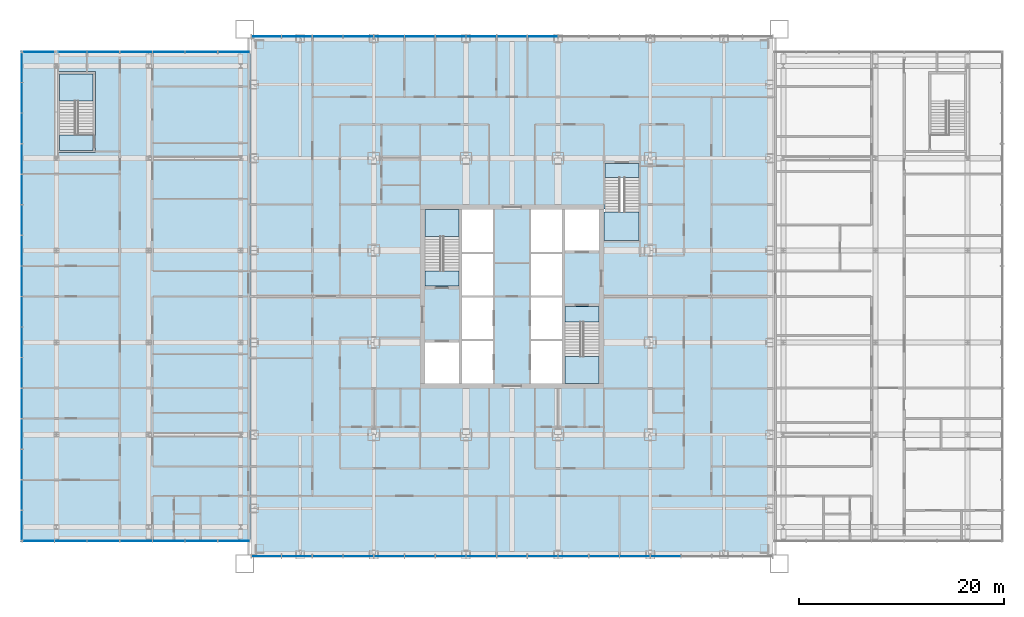
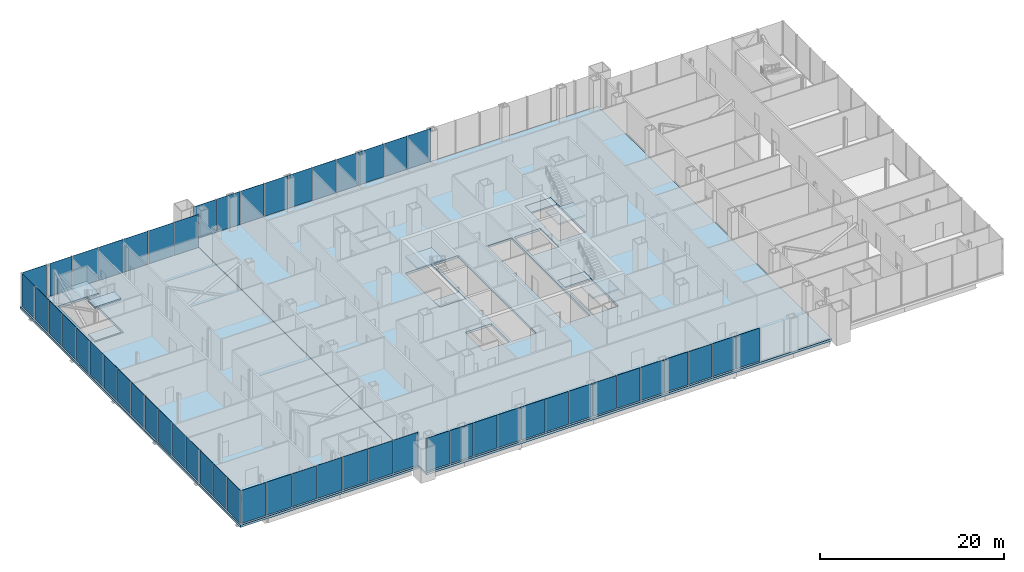
# One storey, part 13 of 25: 54 plates, 11 slabs, 9 elements without a shape of their own.
"""IFC4 building model written with IfcOpenShell, lengths in metres."""

from ifc_helpers import new_model, si_unit, direction, frame, origin, origin_2d, place, context, subcontext, project, spatial, polyline, rectangle, outline, extrude, material, layer, layer_set, type_object, element, aggregate, save


model = new_model("IFC4")

# Units and contexts
model_context = context("Model", 3, precision=1e-05, world=origin(), true_north=direction((0.0, 1.0)))
body_context = subcontext(model_context, "Body", "Model", "MODEL_VIEW")
ifc_project = project(units=[si_unit("LENGTHUNIT", "METRE"), si_unit("AREAUNIT", "SQUARE_METRE"), si_unit("VOLUMEUNIT", "CUBIC_METRE"), si_unit("PLANEANGLEUNIT", "RADIAN"), si_unit("MASSUNIT", "GRAM", prefix="KILO")], contexts=[model_context])

# Site, building, storey
site_placement = place(None, origin())
site = spatial("IfcSite", under=ifc_project, at=site_placement, CompositionType="ELEMENT")
building_placement = place(site_placement, origin())
building = spatial("IfcBuilding", under=site, at=building_placement, Name="Malebo Sky Hospital", CompositionType="ELEMENT")
storey_placement = place(building_placement, frame((0.0, 0.0, 16.5)))
storey = spatial("IfcBuildingStorey", under=building, at=storey_placement, Name="L03", CompositionType="ELEMENT", Elevation=16.5)

# Slabs
ifc_material_1 = material(Name="Concrete C40/50", Category="concrete")
ifc_layer_1 = layer(ifc_material_1, 0.300048828125)
ifc_layer_set_1 = layer_set([ifc_layer_1], Name="COMPOSITE FLOOR SLAB 300")
slab_type_1 = type_object("IfcSlabType", Name="COMPOSITE FLOOR SLAB 300", PredefinedType="FLOOR", material=ifc_layer_set_1)
slab_1_placement = place(storey_placement, frame((0.0, 0.0, -0.300048828125)))
element("IfcSlab", 1, at=slab_1_placement, inside=storey, type_object=slab_type_1, Name="Floor slab L03", PredefinedType="FLOOR", context=body_context, shape_type="SweptSolid", body=[
    extrude(outline(polyline([(34.5, 87.5), (34.5, 36.5), (85.5, 36.5), (85.5, 87.5), (34.5, 87.5)]), holes=[polyline([(55.10009765625, 70.5), (58.14990234375, 70.5), (58.14990234375, 53.5), (55.10009765625, 53.5), (55.10009765625, 70.5)]), polyline([(64.89990234375, 70.5), (64.89990234375, 53.5), (61.85009765625, 53.5), (61.85009765625, 70.5), (64.89990234375, 70.5)]), polyline([(54.800048828125, 63.0), (51.5, 63.0), (51.5, 70.5), (54.800048828125, 70.5), (54.800048828125, 63.0)]), polyline([(51.5, 53.5), (51.5, 57.5), (54.800048828125, 57.5), (54.800048828125, 53.5), (51.5, 53.5)]), polyline([(65.199951171875, 61.0), (68.5, 61.0), (68.5, 53.5), (65.199951171875, 53.5), (65.199951171875, 61.0)]), polyline([(68.5, 70.5), (68.5, 66.5), (65.199951171875, 66.5), (65.199951171875, 70.5), (68.5, 70.5)]), polyline([(69.0, 67.449951171875), (69.0, 70.52001953125), (69.10009765625, 70.52001953125), (69.10009765625, 75.0), (72.39990234375, 75.0), (72.39990234375, 67.449951171875), (69.10009765625, 67.449951171875), (69.0, 67.449951171875)])]), origin(), (0.0, 0.0, 1.0), 0.300048828125),
])
slab_2_placement = place(storey_placement, frame((0.0, 0.0, -0.300048828125)))
element("IfcSlab", 2, at=slab_2_placement, inside=storey, type_object=slab_type_1, Name="Floor slab L03 west wing", PredefinedType="FLOOR", context=body_context, shape_type="SweptSolid", body=[
    extrude(outline(polyline([(34.449951171875, 38.0), (34.449951171875, 86.0), (12.0, 86.0), (12.0, 38.0), (34.449951171875, 38.0)]), holes=[polyline([(19.300048828125, 76.050048828125), (15.60009765625, 76.050048828125), (15.60009765625, 83.949951171875), (19.300048828125, 83.949951171875), (19.300048828125, 76.050048828125)])]), origin(), (0.0, 0.0, 1.0), 0.300048828125),
])

# Stair, slabs
stair_type_1 = type_object("IfcStairType", Name="HALF-TURN STAIR 1500 R173", PredefinedType="HALF_TURN_STAIR", material=ifc_material_1)
stair_1_placement = place(storey_placement, origin())
stair_1 = element("IfcStair", 3, at=stair_1_placement, inside=storey, type_object=stair_type_1, Name="Stair S1 L03 type ST3", PredefinedType="HALF_TURN_STAIR")
ifc_layer_2 = layer(ifc_material_1, 0.199951171875)
ifc_layer_set_2 = layer_set([ifc_layer_2], Name="STAIR LANDING 200")
slab_type_2 = type_object("IfcSlabType", Name="STAIR LANDING 200", PredefinedType="LANDING", material=ifc_layer_set_2)
slab_3_placement = place(storey_placement, frame((0.0, 0.0, -0.199951171875)))
slab_3 = element("IfcSlab", 4, at=slab_3_placement, type_object=slab_type_2, Name="S1 landing 1", PredefinedType="LANDING", context=body_context, shape_type="SweptSolid", body=[
    extrude(outline(polyline([(51.5, 63.0), (54.800048828125, 63.0), (54.800048828125, 64.5), (51.5, 64.5), (51.5, 63.0)])), origin(), (0.0, 0.0, 1.0), 0.199951171875),
])
slab_4_placement = place(storey_placement, frame((0.0, 0.0, 2.050048828125)))
slab_4 = element("IfcSlab", 5, at=slab_4_placement, type_object=slab_type_2, Name="S1 landing 2", PredefinedType="LANDING", context=body_context, shape_type="SweptSolid", body=[
    extrude(outline(polyline([(51.5, 67.860107421875), (54.800048828125, 67.860107421875), (54.800048828125, 70.5), (51.5, 70.5), (51.5, 67.860107421875)])), origin(), (0.0, 0.0, 1.0), 0.199951171875),
])
aggregate(stair_1, [slab_3, slab_4])

stair_2_placement = place(storey_placement, origin())
stair_2 = element("IfcStair", 6, at=stair_2_placement, inside=storey, type_object=stair_type_1, Name="Stair S2 L03 type ST3", PredefinedType="HALF_TURN_STAIR")
slab_5_placement = place(storey_placement, frame((0.0, 0.0, -0.199951171875)))
slab_5 = element("IfcSlab", 7, at=slab_5_placement, type_object=slab_type_2, Name="S2 landing 1", PredefinedType="LANDING", context=body_context, shape_type="SweptSolid", body=[
    extrude(outline(polyline([(65.199951171875, 59.5), (68.5, 59.5), (68.5, 61.0), (65.199951171875, 61.0), (65.199951171875, 59.5)])), origin(), (0.0, 0.0, 1.0), 0.199951171875),
])
slab_6_placement = place(storey_placement, frame((0.0, 0.0, 2.050048828125)))
slab_6 = element("IfcSlab", 8, at=slab_6_placement, type_object=slab_type_2, Name="S2 landing 2", PredefinedType="LANDING", context=body_context, shape_type="SweptSolid", body=[
    extrude(outline(polyline([(65.199951171875, 53.5), (68.5, 53.5), (68.5, 56.139892578125), (65.199951171875, 56.139892578125), (65.199951171875, 53.5)])), origin(), (0.0, 0.0, 1.0), 0.199951171875),
])
aggregate(stair_2, [slab_5, slab_6])

stair_type_2 = type_object("IfcStairType", Name="HALF-TURN STAIR 1400 R173", PredefinedType="HALF_TURN_STAIR", material=ifc_material_1)
stair_3_placement = place(storey_placement, origin())
stair_3 = element("IfcStair", 9, at=stair_3_placement, inside=storey, type_object=stair_type_2, Name="Stair S3 L03 type ST3B", PredefinedType="HALF_TURN_STAIR")
slab_7_placement = place(storey_placement, frame((0.0, 0.0, -0.199951171875)))
slab_7 = element("IfcSlab", 10, at=slab_7_placement, type_object=slab_type_2, Name="S3 landing 1", PredefinedType="LANDING", context=body_context, shape_type="SweptSolid", body=[
    extrude(outline(polyline([(69.10009765625, 73.60009765625), (72.39990234375, 73.60009765625), (72.39990234375, 75.0), (69.10009765625, 75.0), (69.10009765625, 73.60009765625)])), origin(), (0.0, 0.0, 1.0), 0.199951171875),
])
slab_8_placement = place(storey_placement, frame((0.0, 0.0, 2.050048828125)))
slab_8 = element("IfcSlab", 11, at=slab_8_placement, type_object=slab_type_2, Name="S3 landing 2", PredefinedType="LANDING", context=body_context, shape_type="SweptSolid", body=[
    extrude(outline(polyline([(69.0, 67.449951171875), (72.39990234375, 67.449951171875), (72.39990234375, 70.239990234375), (69.0, 70.239990234375), (69.0, 67.449951171875)])), origin(), (0.0, 0.0, 1.0), 0.199951171875),
])
aggregate(stair_3, [slab_7, slab_8])

stair_4_placement = place(storey_placement, origin())
stair_4 = element("IfcStair", 12, at=stair_4_placement, inside=storey, type_object=stair_type_1, Name="Stair WS L03 type ST3", PredefinedType="HALF_TURN_STAIR")
slab_9_placement = place(storey_placement, frame((0.0, 0.0, -0.199951171875)))
slab_9 = element("IfcSlab", 13, at=slab_9_placement, type_object=slab_type_2, Name="WS landing 1", PredefinedType="LANDING", context=body_context, shape_type="SweptSolid", body=[
    extrude(outline(polyline([(15.800048828125, 76.25), (19.10009765625, 76.25), (19.10009765625, 77.75), (15.800048828125, 77.75), (15.800048828125, 76.25)])), origin(), (0.0, 0.0, 1.0), 0.199951171875),
])
slab_10_placement = place(storey_placement, frame((0.0, 0.0, 2.050048828125)))
slab_10 = element("IfcSlab", 14, at=slab_10_placement, type_object=slab_type_2, Name="WS landing 2", PredefinedType="LANDING", context=body_context, shape_type="SweptSolid", body=[
    extrude(outline(polyline([(15.800048828125, 81.110107421875), (19.10009765625, 81.110107421875), (19.10009765625, 83.75), (15.800048828125, 83.75), (15.800048828125, 81.110107421875)])), origin(), (0.0, 0.0, 1.0), 0.199951171875),
])
slab_11_placement = place(storey_placement, frame((0.0, 0.0, 4.300048828125)))
slab_11 = element("IfcSlab", 15, at=slab_11_placement, type_object=slab_type_2, Name="WS landing 3", PredefinedType="LANDING", context=body_context, shape_type="SweptSolid", body=[
    extrude(outline(polyline([(15.800048828125, 76.25), (19.10009765625, 76.25), (19.10009765625, 77.75), (15.800048828125, 77.75), (15.800048828125, 76.25)])), origin(), (0.0, 0.0, 1.0), 0.199951171875),
])
aggregate(stair_4, [slab_9, slab_10, slab_11])

# Curtain wall, plates
ifc_material_2 = material(Name="Anodised aluminium, natural silver", Category="aluminium")
ifc_layer_3 = layer(ifc_material_2, 0.25)
ifc_layer_set_3 = layer_set([ifc_layer_3], Name="PODIUM CURTAIN WALL")
curtain_wall_type_1 = type_object("IfcCurtainWallType", Name="PODIUM CURTAIN WALL", PredefinedType="NOTDEFINED", material=ifc_layer_set_3)
curtain_wall_1_placement = place(storey_placement, origin())
curtain_wall_1 = element("IfcCurtainWall", 16, at=curtain_wall_1_placement, inside=storey, type_object=curtain_wall_type_1, Name="POD curtain wall WW", PredefinedType="NOTDEFINED")
ifc_material_3 = material(Name="Clear low-iron double glazing", Category="glass")
ifc_layer_4 = layer(ifc_material_3, 0.031982421875)
ifc_layer_set_4 = layer_set([ifc_layer_4], Name="VISION PANEL CLEAR 32")
plate_type = type_object("IfcPlateType", Name="VISION PANEL CLEAR 32", PredefinedType="CURTAIN_PANEL", material=ifc_layer_set_4)
plate_1_placement = place(storey_placement, frame((12.125, 84.364013671875, 0.10009765625), z_axis=(0.0, 0.0, 1.0), x_axis=(0.0, -1.0, 0.0)))
plate_1 = element("IfcPlate", 17, at=plate_1_placement, type_object=plate_type, Name="Panel 1", PredefinedType="CURTAIN_PANEL", context=body_context, shape_type="SweptSolid", body=[
    extrude(rectangle(XDim=2.871826171875, YDim=0.031982421875, at=origin_2d()), origin(), (0.0, 0.0, 1.0), 4.389892578125),
])
plate_2_placement = place(storey_placement, frame((12.125, 81.3984375, 0.10009765625), z_axis=(0.0, 0.0, 1.0), x_axis=(0.0, -1.0, 0.0)))
plate_2 = element("IfcPlate", 18, at=plate_2_placement, type_object=plate_type, Name="Panel 2", PredefinedType="CURTAIN_PANEL", context=body_context, shape_type="SweptSolid", body=[
    extrude(rectangle(XDim=2.909423828125, YDim=0.031982421875, at=origin_2d()), origin(), (0.0, 0.0, 1.0), 4.389892578125),
])
plate_3_placement = place(storey_placement, frame((12.125, 78.4140625, 0.10009765625), z_axis=(0.0, 0.0, 1.0), x_axis=(0.0, -1.0, 0.0)))
plate_3 = element("IfcPlate", 19, at=plate_3_placement, type_object=plate_type, Name="Panel 3", PredefinedType="CURTAIN_PANEL", context=body_context, shape_type="SweptSolid", body=[
    extrude(rectangle(XDim=2.9091796875, YDim=0.031982421875, at=origin_2d()), origin(), (0.0, 0.0, 1.0), 4.389892578125),
])
plate_4_placement = place(storey_placement, frame((12.125, 75.4296875, 0.10009765625), z_axis=(0.0, 0.0, 1.0), x_axis=(0.0, -1.0, 0.0)))
plate_4 = element("IfcPlate", 20, at=plate_4_placement, type_object=plate_type, Name="Panel 4", PredefinedType="CURTAIN_PANEL", context=body_context, shape_type="SweptSolid", body=[
    extrude(rectangle(XDim=2.909423828125, YDim=0.031982421875, at=origin_2d()), origin(), (0.0, 0.0, 1.0), 4.389892578125),
])
plate_5_placement = place(storey_placement, frame((12.125, 72.4453125, 0.10009765625), z_axis=(0.0, 0.0, 1.0), x_axis=(0.0, -1.0, 0.0)))
plate_5 = element("IfcPlate", 21, at=plate_5_placement, type_object=plate_type, Name="Panel 5", PredefinedType="CURTAIN_PANEL", context=body_context, shape_type="SweptSolid", body=[
    extrude(rectangle(XDim=2.909423828125, YDim=0.031982421875, at=origin_2d()), origin(), (0.0, 0.0, 1.0), 4.389892578125),
])
plate_6_placement = place(storey_placement, frame((12.125, 69.4609375, 0.10009765625), z_axis=(0.0, 0.0, 1.0), x_axis=(0.0, -1.0, 0.0)))
plate_6 = element("IfcPlate", 22, at=plate_6_placement, type_object=plate_type, Name="Panel 6", PredefinedType="CURTAIN_PANEL", context=body_context, shape_type="SweptSolid", body=[
    extrude(rectangle(XDim=2.9091796875, YDim=0.031982421875, at=origin_2d()), origin(), (0.0, 0.0, 1.0), 4.389892578125),
])
plate_7_placement = place(storey_placement, frame((12.125, 66.4765625, 0.10009765625), z_axis=(0.0, 0.0, 1.0), x_axis=(0.0, -1.0, 0.0)))
plate_7 = element("IfcPlate", 23, at=plate_7_placement, type_object=plate_type, Name="Panel 7", PredefinedType="CURTAIN_PANEL", context=body_context, shape_type="SweptSolid", body=[
    extrude(rectangle(XDim=2.909423828125, YDim=0.031982421875, at=origin_2d()), origin(), (0.0, 0.0, 1.0), 4.389892578125),
])
plate_8_placement = place(storey_placement, frame((12.125, 63.4921875, 0.10009765625), z_axis=(0.0, 0.0, 1.0), x_axis=(0.0, -1.0, 0.0)))
plate_8 = element("IfcPlate", 24, at=plate_8_placement, type_object=plate_type, Name="Panel 8", PredefinedType="CURTAIN_PANEL", context=body_context, shape_type="SweptSolid", body=[
    extrude(rectangle(XDim=2.909423828125, YDim=0.031982421875, at=origin_2d()), origin(), (0.0, 0.0, 1.0), 4.389892578125),
])
plate_9_placement = place(storey_placement, frame((12.125, 60.5078125, 0.10009765625), z_axis=(0.0, 0.0, 1.0), x_axis=(0.0, -1.0, 0.0)))
plate_9 = element("IfcPlate", 25, at=plate_9_placement, type_object=plate_type, Name="Panel 9", PredefinedType="CURTAIN_PANEL", context=body_context, shape_type="SweptSolid", body=[
    extrude(rectangle(XDim=2.909423828125, YDim=0.031982421875, at=origin_2d()), origin(), (0.0, 0.0, 1.0), 4.389892578125),
])
plate_10_placement = place(storey_placement, frame((12.125, 57.5234375, 0.10009765625), z_axis=(0.0, 0.0, 1.0), x_axis=(0.0, -1.0, 0.0)))
plate_10 = element("IfcPlate", 26, at=plate_10_placement, type_object=plate_type, Name="Panel 10", PredefinedType="CURTAIN_PANEL", context=body_context, shape_type="SweptSolid", body=[
    extrude(rectangle(XDim=2.909423828125, YDim=0.031982421875, at=origin_2d()), origin(), (0.0, 0.0, 1.0), 4.389892578125),
])
plate_11_placement = place(storey_placement, frame((12.125, 54.5390625, 0.10009765625), z_axis=(0.0, 0.0, 1.0), x_axis=(0.0, -1.0, 0.0)))
plate_11 = element("IfcPlate", 27, at=plate_11_placement, type_object=plate_type, Name="Panel 11", PredefinedType="CURTAIN_PANEL", context=body_context, shape_type="SweptSolid", body=[
    extrude(rectangle(XDim=2.9091796875, YDim=0.031982421875, at=origin_2d()), origin(), (0.0, 0.0, 1.0), 4.389892578125),
])
plate_12_placement = place(storey_placement, frame((12.125, 51.5546875, 0.10009765625), z_axis=(0.0, 0.0, 1.0), x_axis=(0.0, -1.0, 0.0)))
plate_12 = element("IfcPlate", 28, at=plate_12_placement, type_object=plate_type, Name="Panel 12", PredefinedType="CURTAIN_PANEL", context=body_context, shape_type="SweptSolid", body=[
    extrude(rectangle(XDim=2.909423828125, YDim=0.031982421875, at=origin_2d()), origin(), (0.0, 0.0, 1.0), 4.389892578125),
])
plate_13_placement = place(storey_placement, frame((12.125, 48.5703125, 0.10009765625), z_axis=(0.0, 0.0, 1.0), x_axis=(0.0, -1.0, 0.0)))
plate_13 = element("IfcPlate", 29, at=plate_13_placement, type_object=plate_type, Name="Panel 13", PredefinedType="CURTAIN_PANEL", context=body_context, shape_type="SweptSolid", body=[
    extrude(rectangle(XDim=2.909423828125, YDim=0.031982421875, at=origin_2d()), origin(), (0.0, 0.0, 1.0), 4.389892578125),
])
plate_14_placement = place(storey_placement, frame((12.125, 45.5859375, 0.10009765625), z_axis=(0.0, 0.0, 1.0), x_axis=(0.0, -1.0, 0.0)))
plate_14 = element("IfcPlate", 30, at=plate_14_placement, type_object=plate_type, Name="Panel 14", PredefinedType="CURTAIN_PANEL", context=body_context, shape_type="SweptSolid", body=[
    extrude(rectangle(XDim=2.9091796875, YDim=0.031982421875, at=origin_2d()), origin(), (0.0, 0.0, 1.0), 4.389892578125),
])
plate_15_placement = place(storey_placement, frame((12.125, 42.6015625, 0.10009765625), z_axis=(0.0, 0.0, 1.0), x_axis=(0.0, -1.0, 0.0)))
plate_15 = element("IfcPlate", 31, at=plate_15_placement, type_object=plate_type, Name="Panel 15", PredefinedType="CURTAIN_PANEL", context=body_context, shape_type="SweptSolid", body=[
    extrude(rectangle(XDim=2.909423828125, YDim=0.031982421875, at=origin_2d()), origin(), (0.0, 0.0, 1.0), 4.389892578125),
])
plate_16_placement = place(storey_placement, frame((12.125, 39.635986328125, 0.10009765625), z_axis=(0.0, 0.0, 1.0), x_axis=(0.0, -1.0, 0.0)))
plate_16 = element("IfcPlate", 32, at=plate_16_placement, type_object=plate_type, Name="Panel 16", PredefinedType="CURTAIN_PANEL", context=body_context, shape_type="SweptSolid", body=[
    extrude(rectangle(XDim=2.871826171875, YDim=0.031982421875, at=origin_2d()), origin(), (0.0, 0.0, 1.0), 4.389892578125),
])
aggregate(curtain_wall_1, [plate_1, plate_2, plate_3, plate_4, plate_5, plate_6, plate_7, plate_8, plate_9, plate_10, plate_11, plate_12, plate_13, plate_14, plate_15, plate_16])

curtain_wall_2_placement = place(storey_placement, origin())
curtain_wall_2 = element("IfcCurtainWall", 33, at=curtain_wall_2_placement, inside=storey, type_object=curtain_wall_type_1, Name="POD curtain wall WS", PredefinedType="NOTDEFINED")
plate_17_placement = place(storey_placement, frame((13.73828125, 38.125, 0.10009765625), z_axis=(0.0, 0.0, 1.0), x_axis=(1.0, 0.0, 0.0)))
plate_17 = element("IfcPlate", 34, at=plate_17_placement, type_object=plate_type, Name="Panel 1", PredefinedType="CURTAIN_PANEL", context=body_context, shape_type="SweptSolid", body=[
    extrude(rectangle(XDim=3.076904296875, YDim=0.031982421875, at=origin_2d()), origin(), (0.0, 0.0, 1.0), 4.389892578125),
])
plate_18_placement = place(storey_placement, frame((16.908935546875, 38.125, 0.10009765625), z_axis=(0.0, 0.0, 1.0), x_axis=(1.0, 0.0, 0.0)))
plate_18 = element("IfcPlate", 35, at=plate_18_placement, type_object=plate_type, Name="Panel 2", PredefinedType="CURTAIN_PANEL", context=body_context, shape_type="SweptSolid", body=[
    extrude(rectangle(XDim=3.1142578125, YDim=0.031982421875, at=origin_2d()), origin(), (0.0, 0.0, 1.0), 4.389892578125),
])
plate_19_placement = place(storey_placement, frame((20.09814453125, 38.125, 0.10009765625), z_axis=(0.0, 0.0, 1.0), x_axis=(1.0, 0.0, 0.0)))
plate_19 = element("IfcPlate", 36, at=plate_19_placement, type_object=plate_type, Name="Panel 3", PredefinedType="CURTAIN_PANEL", context=body_context, shape_type="SweptSolid", body=[
    extrude(rectangle(XDim=3.1142578125, YDim=0.031982421875, at=origin_2d()), origin(), (0.0, 0.0, 1.0), 4.389892578125),
])
plate_20_placement = place(storey_placement, frame((23.28759765625, 38.125, 0.10009765625), z_axis=(0.0, 0.0, 1.0), x_axis=(1.0, 0.0, 0.0)))
plate_20 = element("IfcPlate", 37, at=plate_20_placement, type_object=plate_type, Name="Panel 4", PredefinedType="CURTAIN_PANEL", context=body_context, shape_type="SweptSolid", body=[
    extrude(rectangle(XDim=3.1142578125, YDim=0.031982421875, at=origin_2d()), origin(), (0.0, 0.0, 1.0), 4.389892578125),
])
plate_21_placement = place(storey_placement, frame((26.476806640625, 38.125, 0.10009765625), z_axis=(0.0, 0.0, 1.0), x_axis=(1.0, 0.0, 0.0)))
plate_21 = element("IfcPlate", 38, at=plate_21_placement, type_object=plate_type, Name="Panel 5", PredefinedType="CURTAIN_PANEL", context=body_context, shape_type="SweptSolid", body=[
    extrude(rectangle(XDim=3.1142578125, YDim=0.031982421875, at=origin_2d()), origin(), (0.0, 0.0, 1.0), 4.389892578125),
])
plate_22_placement = place(storey_placement, frame((29.666015625, 38.125, 0.10009765625), z_axis=(0.0, 0.0, 1.0), x_axis=(1.0, 0.0, 0.0)))
plate_22 = element("IfcPlate", 39, at=plate_22_placement, type_object=plate_type, Name="Panel 6", PredefinedType="CURTAIN_PANEL", context=body_context, shape_type="SweptSolid", body=[
    extrude(rectangle(XDim=3.1142578125, YDim=0.031982421875, at=origin_2d()), origin(), (0.0, 0.0, 1.0), 4.389892578125),
])
plate_23_placement = place(storey_placement, frame((32.836669921875, 38.125, 0.10009765625), z_axis=(0.0, 0.0, 1.0), x_axis=(1.0, 0.0, 0.0)))
plate_23 = element("IfcPlate", 40, at=plate_23_placement, type_object=plate_type, Name="Panel 7", PredefinedType="CURTAIN_PANEL", context=body_context, shape_type="SweptSolid", body=[
    extrude(rectangle(XDim=3.076904296875, YDim=0.031982421875, at=origin_2d()), origin(), (0.0, 0.0, 1.0), 4.389892578125),
])
aggregate(curtain_wall_2, [plate_17, plate_18, plate_19, plate_20, plate_21, plate_22, plate_23])

curtain_wall_3_placement = place(storey_placement, origin())
curtain_wall_3 = element("IfcCurtainWall", 41, at=curtain_wall_3_placement, inside=storey, type_object=curtain_wall_type_1, Name="POD curtain wall WN", PredefinedType="NOTDEFINED")
plate_24_placement = place(storey_placement, frame((32.836669921875, 85.875, 0.10009765625), z_axis=(0.0, 0.0, 1.0), x_axis=(-1.0, 0.0, 0.0)))
plate_24 = element("IfcPlate", 42, at=plate_24_placement, type_object=plate_type, Name="Panel 1", PredefinedType="CURTAIN_PANEL", context=body_context, shape_type="SweptSolid", body=[
    extrude(rectangle(XDim=3.076904296875, YDim=0.031982421875, at=origin_2d()), origin(), (0.0, 0.0, 1.0), 4.389892578125),
])
plate_25_placement = place(storey_placement, frame((29.666015625, 85.875, 0.10009765625), z_axis=(0.0, 0.0, 1.0), x_axis=(-1.0, 0.0, 0.0)))
plate_25 = element("IfcPlate", 43, at=plate_25_placement, type_object=plate_type, Name="Panel 2", PredefinedType="CURTAIN_PANEL", context=body_context, shape_type="SweptSolid", body=[
    extrude(rectangle(XDim=3.1142578125, YDim=0.031982421875, at=origin_2d()), origin(), (0.0, 0.0, 1.0), 4.389892578125),
])
plate_26_placement = place(storey_placement, frame((26.476806640625, 85.875, 0.10009765625), z_axis=(0.0, 0.0, 1.0), x_axis=(-1.0, 0.0, 0.0)))
plate_26 = element("IfcPlate", 44, at=plate_26_placement, type_object=plate_type, Name="Panel 3", PredefinedType="CURTAIN_PANEL", context=body_context, shape_type="SweptSolid", body=[
    extrude(rectangle(XDim=3.1142578125, YDim=0.031982421875, at=origin_2d()), origin(), (0.0, 0.0, 1.0), 4.389892578125),
])
plate_27_placement = place(storey_placement, frame((23.28759765625, 85.875, 0.10009765625), z_axis=(0.0, 0.0, 1.0), x_axis=(-1.0, 0.0, 0.0)))
plate_27 = element("IfcPlate", 45, at=plate_27_placement, type_object=plate_type, Name="Panel 4", PredefinedType="CURTAIN_PANEL", context=body_context, shape_type="SweptSolid", body=[
    extrude(rectangle(XDim=3.1142578125, YDim=0.031982421875, at=origin_2d()), origin(), (0.0, 0.0, 1.0), 4.389892578125),
])
plate_28_placement = place(storey_placement, frame((20.09814453125, 85.875, 0.10009765625), z_axis=(0.0, 0.0, 1.0), x_axis=(-1.0, 0.0, 0.0)))
plate_28 = element("IfcPlate", 46, at=plate_28_placement, type_object=plate_type, Name="Panel 5", PredefinedType="CURTAIN_PANEL", context=body_context, shape_type="SweptSolid", body=[
    extrude(rectangle(XDim=3.1142578125, YDim=0.031982421875, at=origin_2d()), origin(), (0.0, 0.0, 1.0), 4.389892578125),
])
plate_29_placement = place(storey_placement, frame((17.07666015625, 85.875, 0.16357421875), z_axis=(0.0, 0.0, 1.0), x_axis=(-1.0, 0.0, 0.0)))
plate_29 = element("IfcPlate", 47, at=plate_29_placement, type_object=plate_type, Name="Panel 6", PredefinedType="CURTAIN_PANEL", context=body_context, shape_type="SweptSolid", body=[
    extrude(outline(polyline([(-1.389404296875, 0.0), (1.389404296875, 0.0), (1.389404296875, 4.326416015625), (-1.389404296875, 4.326416015625), (-1.389404296875, 0.0)])), frame((0.0, 0.01611328125, 0.0), z_axis=(0.0, -1.0, 0.0), x_axis=(1.0, 0.0, 0.0)), (0.0, 0.0, 1.0), 0.031982421875),
])
plate_30_placement = place(storey_placement, frame((13.73828125, 85.875, 0.10009765625), z_axis=(0.0, 0.0, 1.0), x_axis=(-1.0, 0.0, 0.0)))
plate_30 = element("IfcPlate", 48, at=plate_30_placement, type_object=plate_type, Name="Panel 7", PredefinedType="CURTAIN_PANEL", context=body_context, shape_type="SweptSolid", body=[
    extrude(rectangle(XDim=3.076904296875, YDim=0.031982421875, at=origin_2d()), origin(), (0.0, 0.0, 1.0), 4.389892578125),
])
aggregate(curtain_wall_3, [plate_24, plate_25, plate_26, plate_27, plate_28, plate_29, plate_30])

ifc_layer_5 = layer(ifc_material_2, 0.25)
ifc_layer_set_5 = layer_set([ifc_layer_5], Name="PODIUM ENTRANCE BAY CURTAIN WALL")
curtain_wall_type_2 = type_object("IfcCurtainWallType", Name="PODIUM ENTRANCE BAY CURTAIN WALL", PredefinedType="NOTDEFINED", material=ifc_layer_set_5)
curtain_wall_4_placement = place(storey_placement, origin())
curtain_wall_4 = element("IfcCurtainWall", 49, at=curtain_wall_4_placement, inside=storey, type_object=curtain_wall_type_2, Name="BAY curtain wall BS", PredefinedType="NOTDEFINED")
plate_31_placement = place(storey_placement, frame((36.018798828125, 36.625, 0.10009765625), z_axis=(0.0, 0.0, 1.0), x_axis=(1.0, 0.0, 0.0)))
plate_31 = element("IfcPlate", 50, at=plate_31_placement, type_object=plate_type, Name="Panel 1", PredefinedType="CURTAIN_PANEL", context=body_context, shape_type="SweptSolid", body=[
    extrude(rectangle(XDim=2.887451171875, YDim=0.031982421875, at=origin_2d()), origin(), (0.0, 0.0, 1.0), 4.389892578125),
])
plate_32_placement = place(storey_placement, frame((39.0, 36.625, 0.10009765625), z_axis=(0.0, 0.0, 1.0), x_axis=(1.0, 0.0, 0.0)))
plate_32 = element("IfcPlate", 51, at=plate_32_placement, type_object=plate_type, Name="Panel 2", PredefinedType="CURTAIN_PANEL", context=body_context, shape_type="SweptSolid", body=[
    extrude(rectangle(XDim=2.925048828125, YDim=0.031982421875, at=origin_2d()), origin(), (0.0, 0.0, 1.0), 4.389892578125),
])
plate_33_placement = place(storey_placement, frame((42.0, 36.625, 0.10009765625), z_axis=(0.0, 0.0, 1.0), x_axis=(1.0, 0.0, 0.0)))
plate_33 = element("IfcPlate", 52, at=plate_33_placement, type_object=plate_type, Name="Panel 3", PredefinedType="CURTAIN_PANEL", context=body_context, shape_type="SweptSolid", body=[
    extrude(rectangle(XDim=2.925048828125, YDim=0.031982421875, at=origin_2d()), origin(), (0.0, 0.0, 1.0), 4.389892578125),
])
plate_34_placement = place(storey_placement, frame((45.0, 36.625, 0.10009765625), z_axis=(0.0, 0.0, 1.0), x_axis=(1.0, 0.0, 0.0)))
plate_34 = element("IfcPlate", 53, at=plate_34_placement, type_object=plate_type, Name="Panel 4", PredefinedType="CURTAIN_PANEL", context=body_context, shape_type="SweptSolid", body=[
    extrude(rectangle(XDim=2.925048828125, YDim=0.031982421875, at=origin_2d()), origin(), (0.0, 0.0, 1.0), 4.389892578125),
])
plate_35_placement = place(storey_placement, frame((48.0, 36.625, 0.10009765625), z_axis=(0.0, 0.0, 1.0), x_axis=(1.0, 0.0, 0.0)))
plate_35 = element("IfcPlate", 54, at=plate_35_placement, type_object=plate_type, Name="Panel 5", PredefinedType="CURTAIN_PANEL", context=body_context, shape_type="SweptSolid", body=[
    extrude(rectangle(XDim=2.925048828125, YDim=0.031982421875, at=origin_2d()), origin(), (0.0, 0.0, 1.0), 4.389892578125),
])
plate_36_placement = place(storey_placement, frame((51.0, 36.625, 0.10009765625), z_axis=(0.0, 0.0, 1.0), x_axis=(1.0, 0.0, 0.0)))
plate_36 = element("IfcPlate", 55, at=plate_36_placement, type_object=plate_type, Name="Panel 6", PredefinedType="CURTAIN_PANEL", context=body_context, shape_type="SweptSolid", body=[
    extrude(rectangle(XDim=2.925048828125, YDim=0.031982421875, at=origin_2d()), origin(), (0.0, 0.0, 1.0), 4.389892578125),
])
plate_37_placement = place(storey_placement, frame((54.0, 36.625, 0.10009765625), z_axis=(0.0, 0.0, 1.0), x_axis=(1.0, 0.0, 0.0)))
plate_37 = element("IfcPlate", 56, at=plate_37_placement, type_object=plate_type, Name="Panel 7", PredefinedType="CURTAIN_PANEL", context=body_context, shape_type="SweptSolid", body=[
    extrude(rectangle(XDim=2.925048828125, YDim=0.031982421875, at=origin_2d()), origin(), (0.0, 0.0, 1.0), 4.389892578125),
])
plate_38_placement = place(storey_placement, frame((57.0, 36.625, 0.10009765625), z_axis=(0.0, 0.0, 1.0), x_axis=(1.0, 0.0, 0.0)))
plate_38 = element("IfcPlate", 57, at=plate_38_placement, type_object=plate_type, Name="Panel 8", PredefinedType="CURTAIN_PANEL", context=body_context, shape_type="SweptSolid", body=[
    extrude(rectangle(XDim=2.925048828125, YDim=0.031982421875, at=origin_2d()), origin(), (0.0, 0.0, 1.0), 4.389892578125),
])
plate_39_placement = place(storey_placement, frame((60.0, 36.625, 0.10009765625), z_axis=(0.0, 0.0, 1.0), x_axis=(1.0, 0.0, 0.0)))
plate_39 = element("IfcPlate", 58, at=plate_39_placement, type_object=plate_type, Name="Panel 9", PredefinedType="CURTAIN_PANEL", context=body_context, shape_type="SweptSolid", body=[
    extrude(rectangle(XDim=2.925048828125, YDim=0.031982421875, at=origin_2d()), origin(), (0.0, 0.0, 1.0), 4.389892578125),
])
plate_40_placement = place(storey_placement, frame((63.0, 36.625, 0.10009765625), z_axis=(0.0, 0.0, 1.0), x_axis=(1.0, 0.0, 0.0)))
plate_40 = element("IfcPlate", 59, at=plate_40_placement, type_object=plate_type, Name="Panel 10", PredefinedType="CURTAIN_PANEL", context=body_context, shape_type="SweptSolid", body=[
    extrude(rectangle(XDim=2.925048828125, YDim=0.031982421875, at=origin_2d()), origin(), (0.0, 0.0, 1.0), 4.389892578125),
])
plate_41_placement = place(storey_placement, frame((66.0, 36.625, 0.10009765625), z_axis=(0.0, 0.0, 1.0), x_axis=(1.0, 0.0, 0.0)))
plate_41 = element("IfcPlate", 60, at=plate_41_placement, type_object=plate_type, Name="Panel 11", PredefinedType="CURTAIN_PANEL", context=body_context, shape_type="SweptSolid", body=[
    extrude(rectangle(XDim=2.925048828125, YDim=0.031982421875, at=origin_2d()), origin(), (0.0, 0.0, 1.0), 4.389892578125),
])
plate_42_placement = place(storey_placement, frame((69.0, 36.625, 0.10009765625), z_axis=(0.0, 0.0, 1.0), x_axis=(1.0, 0.0, 0.0)))
plate_42 = element("IfcPlate", 61, at=plate_42_placement, type_object=plate_type, Name="Panel 12", PredefinedType="CURTAIN_PANEL", context=body_context, shape_type="SweptSolid", body=[
    extrude(rectangle(XDim=2.925048828125, YDim=0.031982421875, at=origin_2d()), origin(), (0.0, 0.0, 1.0), 4.389892578125),
])
plate_43_placement = place(storey_placement, frame((72.0, 36.625, 0.10009765625), z_axis=(0.0, 0.0, 1.0), x_axis=(1.0, 0.0, 0.0)))
plate_43 = element("IfcPlate", 62, at=plate_43_placement, type_object=plate_type, Name="Panel 13", PredefinedType="CURTAIN_PANEL", context=body_context, shape_type="SweptSolid", body=[
    extrude(rectangle(XDim=2.925048828125, YDim=0.031982421875, at=origin_2d()), origin(), (0.0, 0.0, 1.0), 4.389892578125),
])
plate_44_placement = place(storey_placement, frame((75.0, 36.625, 0.10009765625), z_axis=(0.0, 0.0, 1.0), x_axis=(1.0, 0.0, 0.0)))
plate_44 = element("IfcPlate", 63, at=plate_44_placement, type_object=plate_type, Name="Panel 14", PredefinedType="CURTAIN_PANEL", context=body_context, shape_type="SweptSolid", body=[
    extrude(rectangle(XDim=2.925048828125, YDim=0.031982421875, at=origin_2d()), origin(), (0.0, 0.0, 1.0), 4.389892578125),
])
aggregate(curtain_wall_4, [plate_31, plate_32, plate_33, plate_34, plate_35, plate_36, plate_37, plate_38, plate_39, plate_40, plate_41, plate_42, plate_43, plate_44])

curtain_wall_5_placement = place(storey_placement, origin())
curtain_wall_5 = element("IfcCurtainWall", 64, at=curtain_wall_5_placement, inside=storey, type_object=curtain_wall_type_2, Name="BAY curtain wall BN", PredefinedType="NOTDEFINED")
plate_45_placement = place(storey_placement, frame((63.0, 87.375, 0.10009765625), z_axis=(0.0, 0.0, 1.0), x_axis=(-1.0, 0.0, 0.0)))
plate_45 = element("IfcPlate", 65, at=plate_45_placement, type_object=plate_type, Name="Panel 8", PredefinedType="CURTAIN_PANEL", context=body_context, shape_type="SweptSolid", body=[
    extrude(rectangle(XDim=2.925048828125, YDim=0.031982421875, at=origin_2d()), origin(), (0.0, 0.0, 1.0), 4.389892578125),
])
plate_46_placement = place(storey_placement, frame((60.0, 87.375, 0.10009765625), z_axis=(0.0, 0.0, 1.0), x_axis=(-1.0, 0.0, 0.0)))
plate_46 = element("IfcPlate", 66, at=plate_46_placement, type_object=plate_type, Name="Panel 9", PredefinedType="CURTAIN_PANEL", context=body_context, shape_type="SweptSolid", body=[
    extrude(rectangle(XDim=2.925048828125, YDim=0.031982421875, at=origin_2d()), origin(), (0.0, 0.0, 1.0), 4.389892578125),
])
plate_47_placement = place(storey_placement, frame((57.0, 87.375, 0.10009765625), z_axis=(0.0, 0.0, 1.0), x_axis=(-1.0, 0.0, 0.0)))
plate_47 = element("IfcPlate", 67, at=plate_47_placement, type_object=plate_type, Name="Panel 10", PredefinedType="CURTAIN_PANEL", context=body_context, shape_type="SweptSolid", body=[
    extrude(rectangle(XDim=2.925048828125, YDim=0.031982421875, at=origin_2d()), origin(), (0.0, 0.0, 1.0), 4.389892578125),
])
plate_48_placement = place(storey_placement, frame((54.0, 87.375, 0.10009765625), z_axis=(0.0, 0.0, 1.0), x_axis=(-1.0, 0.0, 0.0)))
plate_48 = element("IfcPlate", 68, at=plate_48_placement, type_object=plate_type, Name="Panel 11", PredefinedType="CURTAIN_PANEL", context=body_context, shape_type="SweptSolid", body=[
    extrude(rectangle(XDim=2.925048828125, YDim=0.031982421875, at=origin_2d()), origin(), (0.0, 0.0, 1.0), 4.389892578125),
])
plate_49_placement = place(storey_placement, frame((51.0, 87.375, 0.10009765625), z_axis=(0.0, 0.0, 1.0), x_axis=(-1.0, 0.0, 0.0)))
plate_49 = element("IfcPlate", 69, at=plate_49_placement, type_object=plate_type, Name="Panel 12", PredefinedType="CURTAIN_PANEL", context=body_context, shape_type="SweptSolid", body=[
    extrude(rectangle(XDim=2.925048828125, YDim=0.031982421875, at=origin_2d()), origin(), (0.0, 0.0, 1.0), 4.389892578125),
])
plate_50_placement = place(storey_placement, frame((48.0, 87.375, 0.10009765625), z_axis=(0.0, 0.0, 1.0), x_axis=(-1.0, 0.0, 0.0)))
plate_50 = element("IfcPlate", 70, at=plate_50_placement, type_object=plate_type, Name="Panel 13", PredefinedType="CURTAIN_PANEL", context=body_context, shape_type="SweptSolid", body=[
    extrude(rectangle(XDim=2.925048828125, YDim=0.031982421875, at=origin_2d()), origin(), (0.0, 0.0, 1.0), 4.389892578125),
])
plate_51_placement = place(storey_placement, frame((45.0, 87.375, 0.10009765625), z_axis=(0.0, 0.0, 1.0), x_axis=(-1.0, 0.0, 0.0)))
plate_51 = element("IfcPlate", 71, at=plate_51_placement, type_object=plate_type, Name="Panel 14", PredefinedType="CURTAIN_PANEL", context=body_context, shape_type="SweptSolid", body=[
    extrude(rectangle(XDim=2.925048828125, YDim=0.031982421875, at=origin_2d()), origin(), (0.0, 0.0, 1.0), 4.389892578125),
])
plate_52_placement = place(storey_placement, frame((42.0, 87.375, 0.10009765625), z_axis=(0.0, 0.0, 1.0), x_axis=(-1.0, 0.0, 0.0)))
plate_52 = element("IfcPlate", 72, at=plate_52_placement, type_object=plate_type, Name="Panel 15", PredefinedType="CURTAIN_PANEL", context=body_context, shape_type="SweptSolid", body=[
    extrude(rectangle(XDim=2.925048828125, YDim=0.031982421875, at=origin_2d()), origin(), (0.0, 0.0, 1.0), 4.389892578125),
])
plate_53_placement = place(storey_placement, frame((39.0, 87.375, 0.10009765625), z_axis=(0.0, 0.0, 1.0), x_axis=(-1.0, 0.0, 0.0)))
plate_53 = element("IfcPlate", 73, at=plate_53_placement, type_object=plate_type, Name="Panel 16", PredefinedType="CURTAIN_PANEL", context=body_context, shape_type="SweptSolid", body=[
    extrude(rectangle(XDim=2.925048828125, YDim=0.031982421875, at=origin_2d()), origin(), (0.0, 0.0, 1.0), 4.389892578125),
])
plate_54_placement = place(storey_placement, frame((36.018798828125, 87.375, 0.10009765625), z_axis=(0.0, 0.0, 1.0), x_axis=(-1.0, 0.0, 0.0)))
plate_54 = element("IfcPlate", 74, at=plate_54_placement, type_object=plate_type, Name="Panel 17", PredefinedType="CURTAIN_PANEL", context=body_context, shape_type="SweptSolid", body=[
    extrude(rectangle(XDim=2.887451171875, YDim=0.031982421875, at=origin_2d()), origin(), (0.0, 0.0, 1.0), 4.389892578125),
])
aggregate(curtain_wall_5, [plate_45, plate_46, plate_47, plate_48, plate_49, plate_50, plate_51, plate_52, plate_53, plate_54])

save(model, "model.ifc")
